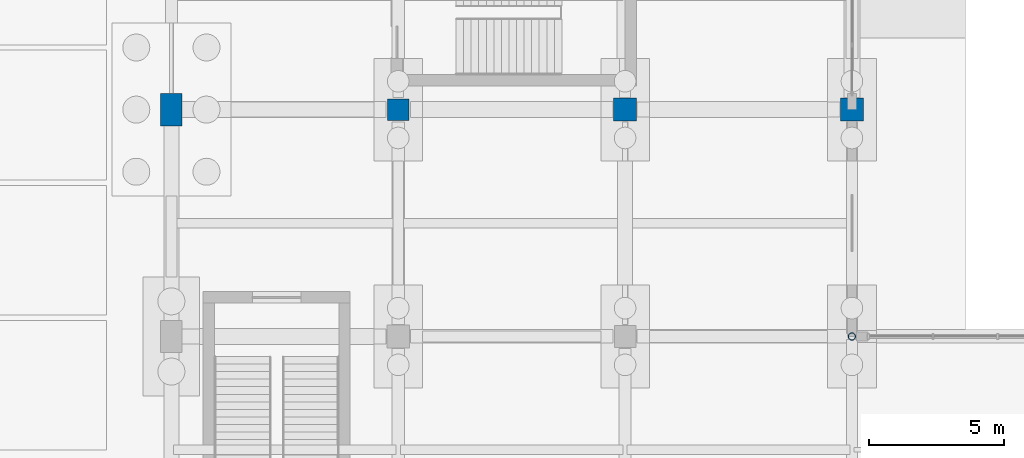
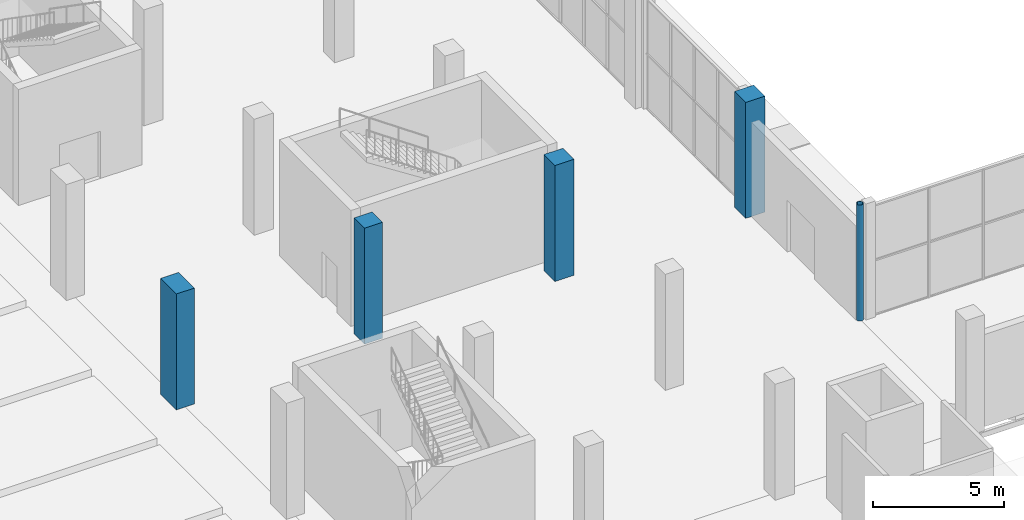
# One storey, part 8 of 82: 5 columns.
"""IFC4 building model written with IfcOpenShell, lengths in metres."""

from ifc_helpers import new_model, si_unit, derived_unit, direction, frame, origin, origin_2d, place, context, subcontext, project, spatial, rectangle, hollow_circle, extrude, material, material_profile, profile_set, type_object, element, save


model = new_model("IFC4")

# Units and contexts
model_context = context("Model", 3, precision=1e-05, world=origin(), true_north=direction((0.0, 1.0)))
body_context = subcontext(model_context, "Body", "Model", "MODEL_VIEW")
ifc_project = project(units=[si_unit("LENGTHUNIT", "METRE"), si_unit("AREAUNIT", "SQUARE_METRE"), si_unit("VOLUMEUNIT", "CUBIC_METRE"), si_unit("PLANEANGLEUNIT", "RADIAN"), si_unit("MASSUNIT", "GRAM", prefix="KILO"), derived_unit("THERMALTRANSMITTANCEUNIT", [(si_unit("POWERUNIT", "WATT"), 1), (si_unit("LENGTHUNIT", "METRE"), -2), (si_unit("THERMODYNAMICTEMPERATUREUNIT", "KELVIN"), -1)])], contexts=[model_context])

# Site, building, storey
site_placement = place(None, origin())
site = spatial("IfcSite", under=ifc_project, at=site_placement, CompositionType="ELEMENT")
building_placement = place(site_placement, origin())
building = spatial("IfcBuilding", under=site, at=building_placement, Name="Barrovel Congress Hotel", CompositionType="ELEMENT")
storey_placement = place(building_placement, origin())
storey = spatial("IfcBuildingStorey", under=building, at=storey_placement, Name="L00", CompositionType="ELEMENT", Elevation=0.0)

# Columns
ifc_material_1 = material(Name="Concrete C40", Category="concrete")
ifc_material_profile_1 = material_profile(ifc_material_1, rectangle(XDim=0.800048828125, YDim=1.199951171875, at=origin_2d()), Name="RC800x1200")
ifc_profile_set_1 = profile_set([ifc_material_profile_1], Name="Concrete C40")
column_type_1 = type_object("IfcColumnType", Name="COL-RC800x1200", PredefinedType="COLUMN", material=ifc_profile_set_1)
column_1_placement = place(storey_placement, frame((33.60009765625, 54.60009765625, 0.0), z_axis=(0.0, 0.0, 1.0), x_axis=(1.0, 0.0, 0.0)))
element("IfcColumn", 1, at=column_1_placement, inside=storey, type_object=column_type_1, Name="COL:L00:33.6:54.6", PredefinedType="COLUMN", context=body_context, shape_type="SweptSolid", body=[
    extrude(rectangle(XDim=0.800048828125, YDim=1.199951171875, at=origin_2d()), origin(), (0.0, 0.0, 1.0), 5.39990234375),
])
ifc_material_profile_2 = material_profile(ifc_material_1, rectangle(XDim=0.800048828125, YDim=0.800048828125, at=origin_2d()), Name="RC800x800")
ifc_profile_set_2 = profile_set([ifc_material_profile_2], Name="Concrete C40")
column_type_2 = type_object("IfcColumnType", Name="COL-RC800x800", PredefinedType="COLUMN", material=ifc_profile_set_2)
column_2_placement = place(storey_placement, frame((42.0, 54.60009765625, 0.0), z_axis=(0.0, 0.0, 1.0), x_axis=(1.0, 0.0, 0.0)))
element("IfcColumn", 2, at=column_2_placement, inside=storey, type_object=column_type_2, Name="COL:L00:42.0:54.6", PredefinedType="COLUMN", context=body_context, shape_type="SweptSolid", body=[
    extrude(rectangle(XDim=0.800048828125, YDim=0.800048828125, at=origin_2d()), origin(), (0.0, 0.0, 1.0), 5.39990234375),
])
ifc_material_profile_3 = material_profile(ifc_material_1, rectangle(XDim=0.85009765625, YDim=0.85009765625, at=origin_2d()), Name="RC850x850")
ifc_profile_set_3 = profile_set([ifc_material_profile_3], Name="Concrete C40")
column_type_3 = type_object("IfcColumnType", Name="COL-RC850x850", PredefinedType="COLUMN", material=ifc_profile_set_3)
for number, where, z_axis, x_axis, name in (
    (3, (50.39990234375, 54.60009765625, 0.0), (0.0, 0.0, 1.0), (1.0, 0.0, 0.0), "COL:L00:50.4:54.6"),
    (4, (58.800048828125, 54.60009765625, 0.0), (0.0, 0.0, 1.0), (1.0, 0.0, 0.0), "COL:L00:58.8:54.6"),
):
    element("IfcColumn", number, at=place(storey_placement, frame(where, z_axis=z_axis, x_axis=x_axis)), inside=storey, type_object=column_type_3, Name=name, PredefinedType="COLUMN", context=body_context, shape_type="SweptSolid", body=[
        extrude(rectangle(XDim=0.85009765625, YDim=0.85009765625, at=origin_2d()), origin(), (0.0, 0.0, 1.0), 5.39990234375),
    ])
ifc_material_2 = material(Name="Steel ASTM A500 Grade C", Category="steel")
ifc_material_profile_4 = material_profile(ifc_material_2, hollow_circle(Radius=0.136474609375, WallThickness=0.01171875, at=origin_2d()), Name="CHS273.1x12.7")
ifc_profile_set_4 = profile_set([ifc_material_profile_4], Name="Steel ASTM A500 Grade C")
column_type_4 = type_object("IfcColumnType", Name="SCOL-CHS273.1x12.7", PredefinedType="COLUMN", material=ifc_profile_set_4)
column_3_placement = place(storey_placement, frame((58.800048828125, 46.199951171875, 0.0), z_axis=(0.0, 0.0, 1.0), x_axis=(1.0, 0.0, 0.0)))
element("IfcColumn", 5, at=column_3_placement, inside=storey, type_object=column_type_4, Name="COL:L00:58.8:46.2", PredefinedType="COLUMN", context=body_context, shape_type="SweptSolid", body=[
    extrude(hollow_circle(Radius=0.136474609375, WallThickness=0.01171875, at=origin_2d()), origin(), (0.0, 0.0, 1.0), 5.39990234375),
])

save(model, "model.ifc")
